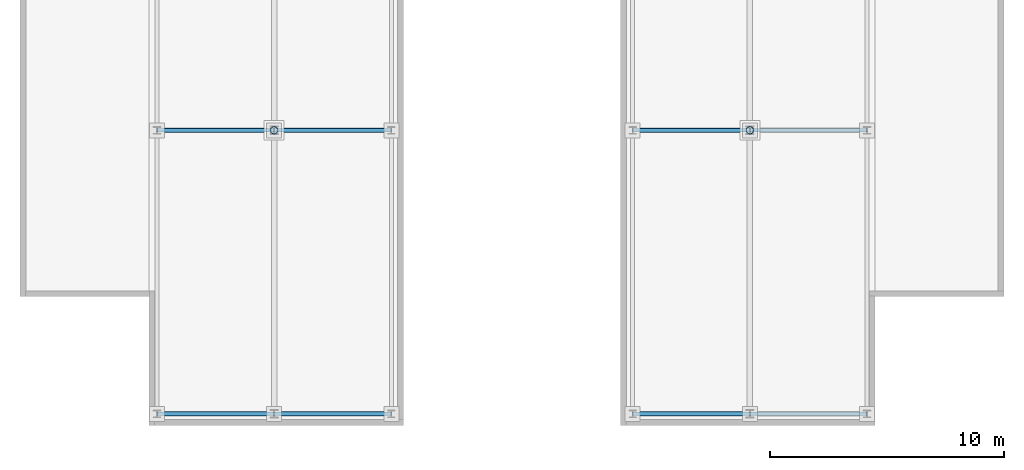
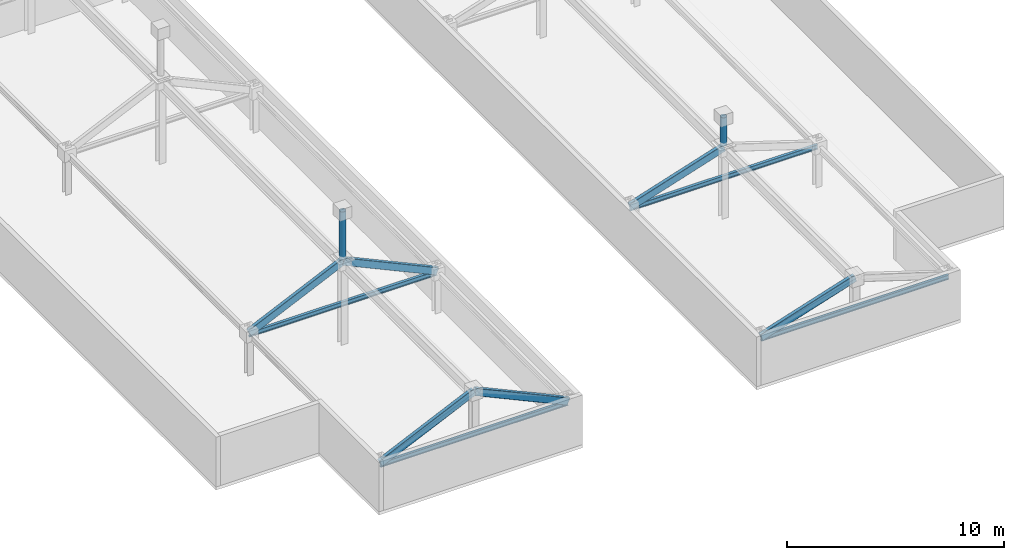
# One storey, part 3 of 9: 8 members, 4 beams.
"""IFC4 building model written with IfcOpenShell, lengths in metres."""

from ifc_helpers import new_model, si_unit, direction, frame, origin, origin_2d, place, context, subcontext, project, spatial, hollow_rectangle, hollow_circle, i_section, extrude, material, material_profile, profile_set, type_object, element, save


model = new_model("IFC4")

# Units and contexts
model_context = context("Model", 3, precision=1e-05, world=origin(), true_north=direction((0.0, 1.0)))
body_context = subcontext(model_context, "Body", "Model", "MODEL_VIEW")
ifc_project = project(units=[si_unit("LENGTHUNIT", "METRE"), si_unit("AREAUNIT", "SQUARE_METRE"), si_unit("VOLUMEUNIT", "CUBIC_METRE"), si_unit("PLANEANGLEUNIT", "RADIAN"), si_unit("MASSUNIT", "GRAM", prefix="KILO")], contexts=[model_context])

# Site, building, storey
site_placement = place(None, origin())
site = spatial("IfcSite", under=ifc_project, at=site_placement, CompositionType="ELEMENT")
building_placement = place(site_placement, origin())
building = spatial("IfcBuilding", under=site, at=building_placement, Name="Cairnveth Concourse Tower", CompositionType="ELEMENT")
storey_placement = place(building_placement, frame((0.0, 0.0, 335.5)))
storey = spatial("IfcBuildingStorey", under=building, at=storey_placement, Name="RF", CompositionType="ELEMENT", Elevation=335.5)

# Members
ifc_material_1 = material(Name="Steel C350L0 (350 MPa)", Category="steel")
ifc_material_profile_1 = material_profile(ifc_material_1, hollow_rectangle(XDim=0.199951171875, YDim=0.39990234375, WallThickness=0.012451171875, InnerFilletRadius=0.012939453125, OuterFilletRadius=0.02490234375, at=origin_2d()), Name="400x200x12.5RHS")
ifc_profile_set_1 = profile_set([ifc_material_profile_1], Name="Steel C350L0 (350 MPa)")
member_type_1 = type_object("IfcMemberType", Name="CROWN GABLE CHORD 400X200X12.5RHS", PredefinedType="CHORD", material=ifc_profile_set_1)
for number, where, z_axis, x_axis, name in (
    (1, (36.85009765625, 18.5, 2.35009765625), (0.908503925861, 0.0, 0.417876317461), (0.0, 1.0, 0.0), "Structural Brace GCH-WL1 RF"),
    (2, (46.85009765625, 18.5, 2.35009765625), (-0.908503925861, 0.0, 0.417876317461), (0.0, -1.0, 0.0), "Structural Brace GCH-WR1 RF"),
    (3, (36.85009765625, 30.60009765625, 2.35009765625), (0.908503925861, 0.0, 0.417876317461), (0.0, 1.0, 0.0), "Structural Brace GCH-WL2 RF"),
    (4, (46.85009765625, 30.60009765625, 2.35009765625), (-0.908503925861, 0.0, 0.417876317461), (0.0, -1.0, 0.0), "Structural Brace GCH-WR2 RF"),
):
    element("IfcMember", number, at=place(storey_placement, frame(where, z_axis=z_axis, x_axis=x_axis)), inside=storey, type_object=member_type_1, Name=name, PredefinedType="CHORD", context=body_context, shape_type="SweptSolid", body=[
        extrude(hollow_rectangle(XDim=0.199951171875, YDim=0.39990234375, WallThickness=0.012451171875, InnerFilletRadius=0.012939453125, OuterFilletRadius=0.02490234375, at=origin_2d()), origin(), (0.0, 0.0, 1.0), 5.503662109375),
    ])
for number, where, z_axis, x_axis, name in (
    (5, (57.14990234375, 18.5, 2.35009765625), (0.952432246511, 0.0, 0.304750415595), (0.0, 1.0, 0.0), "Structural Brace GCH-EL1 RF"),
    (6, (57.14990234375, 30.60009765625, 2.35009765625), (0.952432246511, 0.0, 0.304750415595), (0.0, 1.0, 0.0), "Structural Brace GCH-EL2 RF"),
):
    element("IfcMember", number, at=place(storey_placement, frame(where, z_axis=z_axis, x_axis=x_axis)), inside=storey, type_object=member_type_1, Name=name, PredefinedType="CHORD", context=body_context, shape_type="SweptSolid", body=[
        extrude(hollow_rectangle(XDim=0.199951171875, YDim=0.39990234375, WallThickness=0.012451171875, InnerFilletRadius=0.012939453125, OuterFilletRadius=0.02490234375, at=origin_2d()), origin(), (0.0, 0.0, 1.0), 5.249755859375),
    ])
ifc_material_profile_2 = material_profile(ifc_material_1, hollow_circle(Radius=0.161865234375, WallThickness=0.0126953125, at=origin_2d()), Name="323.9x12.7CHS")
ifc_profile_set_2 = profile_set([ifc_material_profile_2], Name="Steel C350L0 (350 MPa)")
member_type_2 = type_object("IfcMemberType", Name="GOTHIC CROWN SPIRE FINIAL 323.9X12.7CHS", PredefinedType="USERDEFINED", material=ifc_profile_set_2)
member_1_placement = place(storey_placement, frame((41.85009765625, 30.60009765625, 4.800048828125), z_axis=(0.0, 0.0, 1.0), x_axis=(1.0, 0.0, 0.0)))
element("IfcMember", 7, at=member_1_placement, inside=storey, type_object=member_type_2, Name="Gothic Crown Spire Finial SL1-W1", ObjectType="FINIAL SPIRE", PredefinedType="USERDEFINED", context=body_context, shape_type="SweptSolid", body=[
    extrude(hollow_circle(Radius=0.161865234375, WallThickness=0.0126953125, at=origin_2d()), origin(), (0.0, 0.0, 1.0), 2.699951171875),
])
member_2_placement = place(storey_placement, frame((62.14990234375, 30.60009765625, 4.10009765625), z_axis=(0.0, 0.0, 1.0), x_axis=(1.0, 0.0, 0.0)))
element("IfcMember", 8, at=member_2_placement, inside=storey, type_object=member_type_2, Name="Gothic Crown Spire Finial SL1-E1", ObjectType="FINIAL SPIRE", PredefinedType="USERDEFINED", context=body_context, shape_type="SweptSolid", body=[
    extrude(hollow_circle(Radius=0.161865234375, WallThickness=0.0126953125, at=origin_2d()), origin(), (0.0, 0.0, 1.0), 1.599853515625),
])

# Beams
ifc_material_2 = material(Name="Steel Grade 350", Category="steel")
ifc_material_profile_3 = material_profile(ifc_material_2, i_section(OverallWidth=0.14599609375, OverallDepth=0.256103515625, WebThickness=0.00634765625, FlangeThickness=0.010986328125, FilletRadius=0.009033203125, at=origin_2d()), Name="250UB37.3")
ifc_profile_set_3 = profile_set([ifc_material_profile_3], Name="Steel Grade 350")
beam_type = type_object("IfcBeamType", Name="ZONE 4 FLOOR JOIST 250UB37.3", PredefinedType="JOIST", material=ifc_profile_set_3)
for number, where, z_axis, x_axis, name in (
    (9, (36.85009765625, 18.5, 2.25), (1.0, 0.0, 0.0), (0.0, 1.0, 0.0), "Crown Eaves Tie Beam W1"),
    (10, (36.85009765625, 30.60009765625, 2.25), (1.0, 0.0, 0.0), (0.0, 1.0, 0.0), "Crown Eaves Tie Beam W2"),
    (11, (57.14990234375, 18.5, 2.25), (1.0, 0.0, 0.0), (0.0, 1.0, 0.0), "Crown Eaves Tie Beam E1"),
    (12, (57.14990234375, 30.60009765625, 2.25), (1.0, 0.0, 0.0), (0.0, 1.0, 0.0), "Crown Eaves Tie Beam E2"),
):
    element("IfcBeam", number, at=place(storey_placement, frame(where, z_axis=z_axis, x_axis=x_axis)), inside=storey, type_object=beam_type, Name=name, PredefinedType="JOIST", context=body_context, shape_type="SweptSolid", body=[
        extrude(i_section(OverallWidth=0.14599609375, OverallDepth=0.256103515625, WebThickness=0.00634765625, FlangeThickness=0.010986328125, FilletRadius=0.009033203125, at=origin_2d()), origin(), (0.0, 0.0, 1.0), 10.0),
    ])

save(model, "model.ifc")
